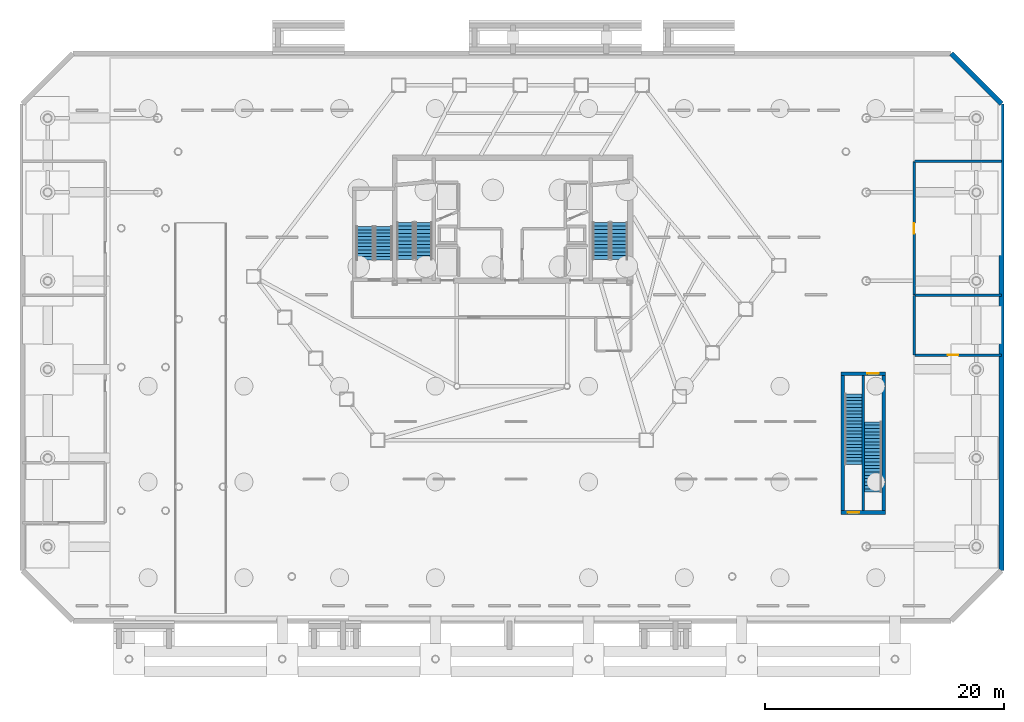
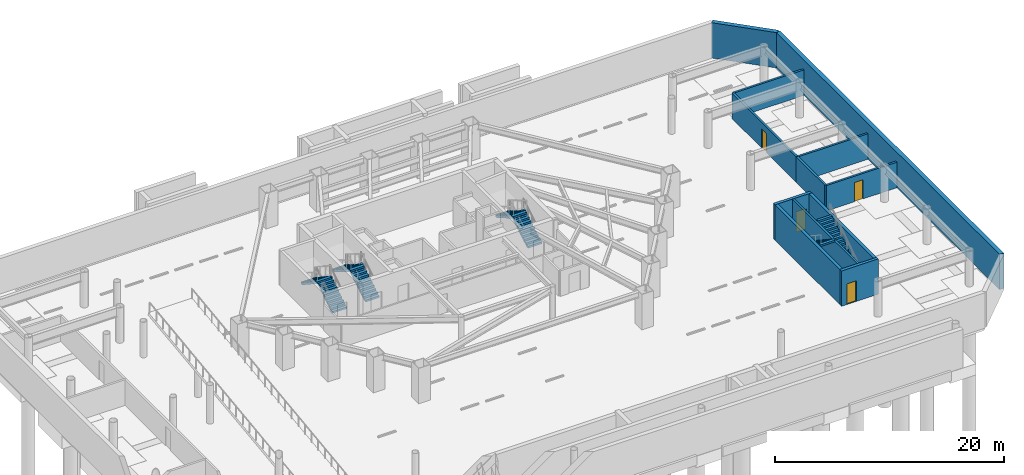
# One storey, part 14 of 19: 12 walls, 8 stair flights, 4 doors, 4 openings, 5 elements without a shape of their own.
"""IFC4 building model written with IfcOpenShell, lengths in metres."""

from ifc_helpers import new_model, si_unit, direction, frame, frame_2d, origin, place, context, subcontext, project, spatial, polyline, rectangle, outline, extrude, material, layer, layer_set, type_object, element, fill, aggregate, save


model = new_model("IFC4")

# Units and contexts
model_context = context("Model", 3, precision=1e-05, world=origin(), true_north=direction((0.0, 1.0)))
body_context = subcontext(model_context, "Body", "Model", "MODEL_VIEW")
ifc_project = project(units=[si_unit("LENGTHUNIT", "METRE"), si_unit("AREAUNIT", "SQUARE_METRE"), si_unit("VOLUMEUNIT", "CUBIC_METRE"), si_unit("PLANEANGLEUNIT", "RADIAN"), si_unit("MASSUNIT", "GRAM", prefix="KILO")], contexts=[model_context])

# Site, building, storey
site_placement = place(None, origin())
site = spatial("IfcSite", under=ifc_project, at=site_placement, CompositionType="ELEMENT")
building_placement = place(site_placement, origin())
building = spatial("IfcBuilding", under=site, at=building_placement, Name="Zarrinselat Tower", CompositionType="ELEMENT")
storey_placement = place(building_placement, frame((0.0, 0.0, -8.159912109375)))
storey = spatial("IfcBuildingStorey", under=building, at=storey_placement, Name="B02", CompositionType="ELEMENT", Elevation=-8.159912109375)

# Wall
ifc_material_1 = material(Name="Concrete C40/50", Category="concrete")
ifc_layer_1 = layer(ifc_material_1, 0.199951171875)
ifc_layer_set_1 = layer_set([ifc_layer_1], Name="Concrete C40/50")
wall_type_1 = type_object("IfcWallType", Name="WAL-PART-PLANT", PredefinedType="PARTITIONING", material=ifc_layer_set_1)
wall_1_placement = place(storey_placement, frame((72.0, 27.02001953125, 0.0), z_axis=(0.0, 0.0, 1.0), x_axis=(0.0, 1.0, 0.0)))
element("IfcWall", 1, at=wall_1_placement, inside=storey, type_object=wall_type_1, Name="B02 Partition Wall 14", PredefinedType="PARTITIONING", context=body_context, shape_type="SweptSolid", body=[
    extrude(rectangle(XDim=4.97509765625, YDim=0.199951171875, at=frame_2d((2.487548828125, 0.0))), origin(), (0.0, 0.0, 1.0), 2.716796875),
])

# Wall, opening, door
wall_2_placement = place(storey_placement, frame((72.02001953125, 27.0, 0.0), z_axis=(0.0, 0.0, 1.0), x_axis=(1.0, 0.0, 0.0)))
wall_2 = element("IfcWall", 2, at=wall_2_placement, inside=storey, type_object=wall_type_1, Name="B02 Partition Wall 15", PredefinedType="PARTITIONING", context=body_context, shape_type="SweptSolid", body=[
    extrude(rectangle(XDim=7.264892578125, YDim=0.199951171875, at=frame_2d((3.63232421875, 0.0))), origin(), (0.0, 0.0, 1.0), 2.716796875),
])
opening_1_placement = place(wall_2_placement, frame((2.79248046875, 0.0, 0.0)))
opening_1 = element("IfcOpeningElement", 3, at=opening_1_placement, cuts=wall_2, Name="Opening ID-03", PredefinedType="OPENING", context=body_context, shape_type="SweptSolid", body=[
    extrude(rectangle(XDim=0.8798828125, YDim=2.050048828125, at=frame_2d((0.43994140625, 1.02490234375))), frame((0.0, 0.10986328125, 0.0), z_axis=(0.0, -1.0, 0.0), x_axis=(1.0, 0.0, 0.0)), (0.0, 0.0, 1.0), 0.219970703125),
])
ifc_material_2 = material(Name="Steel S355J2", Category="steel")
door_type_1 = type_object("IfcDoorType", Name="DR-INT-FD60-S", OperationType="NOTDEFINED", PredefinedType="DOOR", material=ifc_material_2)
door_1_placement = place(opening_1_placement, origin())
door_1 = element("IfcDoor", 4, at=door_1_placement, inside=storey, type_object=door_type_1, Name="B02 Interior Door P15", OperationType="SINGLE_SWING_RIGHT", OverallHeight=2.050048828125, OverallWidth=0.8798828125, PredefinedType="DOOR", context=body_context, shape_type="SweptSolid", body=[
    extrude(rectangle(XDim=0.8798828125, YDim=2.050048828125, at=frame_2d((0.43994140625, 1.02490234375))), frame((0.0, 0.02490234375, 0.0), z_axis=(0.0, -1.0, 0.0), x_axis=(1.0, 0.0, 0.0)), (0.0, 0.0, 1.0), 0.050048828125),
])
fill(opening_1, door_1)

# Wall
wall_3_placement = place(storey_placement, frame((72.02001953125, 43.199951171875, 0.0), z_axis=(0.0, 0.0, 1.0), x_axis=(1.0, 0.0, 0.0)))
element("IfcWall", 5, at=wall_3_placement, inside=storey, type_object=wall_type_1, Name="B02 Partition Wall 16", PredefinedType="PARTITIONING", context=body_context, shape_type="SweptSolid", body=[
    extrude(rectangle(XDim=7.264892578125, YDim=0.199951171875, at=frame_2d((3.63232421875, 0.0))), origin(), (0.0, 0.0, 1.0), 2.716796875),
])

# Wall, opening, door
wall_4_placement = place(storey_placement, frame((72.0, 32.0048828125, 0.0), z_axis=(0.0, 0.0, 1.0), x_axis=(0.0, 1.0, 0.0)))
wall_4 = element("IfcWall", 6, at=wall_4_placement, inside=storey, type_object=wall_type_1, Name="B02 Partition Wall 17", PredefinedType="PARTITIONING", context=body_context, shape_type="SweptSolid", body=[
    extrude(rectangle(XDim=11.175048828125, YDim=0.199951171875, at=frame_2d((5.58740234375, 0.0))), origin(), (0.0, 0.0, 1.0), 2.716796875),
])
opening_2_placement = place(wall_4_placement, frame((5.1474609375, 0.0, 0.0)))
opening_2 = element("IfcOpeningElement", 7, at=opening_2_placement, cuts=wall_4, Name="Opening ID-03", PredefinedType="OPENING", context=body_context, shape_type="SweptSolid", body=[
    extrude(rectangle(XDim=0.8798828125, YDim=2.050048828125, at=frame_2d((0.43994140625, 1.02490234375))), frame((0.0, 0.10986328125, 0.0), z_axis=(0.0, -1.0, 0.0), x_axis=(1.0, 0.0, 0.0)), (0.0, 0.0, 1.0), 0.219970703125),
])
door_2_placement = place(opening_2_placement, origin())
door_2 = element("IfcDoor", 8, at=door_2_placement, inside=storey, type_object=door_type_1, Name="B02 Interior Door P17", OperationType="SINGLE_SWING_LEFT", OverallHeight=2.050048828125, OverallWidth=0.8798828125, PredefinedType="DOOR", context=body_context, shape_type="SweptSolid", body=[
    extrude(rectangle(XDim=0.8798828125, YDim=2.050048828125, at=frame_2d((0.43994140625, 1.02490234375))), frame((0.0, 0.02490234375, 0.0), z_axis=(0.0, -1.0, 0.0), x_axis=(1.0, 0.0, 0.0)), (0.0, 0.0, 1.0), 0.050048828125),
])
fill(opening_2, door_2)

# Walls
wall_5_placement = place(storey_placement, frame((72.02001953125, 32.0, 0.0), z_axis=(0.0, 0.0, 1.0), x_axis=(1.0, 0.0, 0.0)))
element("IfcWall", 9, at=wall_5_placement, inside=storey, type_object=wall_type_1, Name="B02 Partition Wall 23", PredefinedType="PARTITIONING", context=body_context, shape_type="SweptSolid", body=[
    extrude(rectangle(XDim=7.264892578125, YDim=0.199951171875, at=frame_2d((3.63232421875, 0.0))), origin(), (0.0, 0.0, 1.0), 2.716796875),
])
ifc_material_3 = material(Name="Concrete C50/60", Category="concrete")
ifc_layer_2 = layer(ifc_material_3, 0.419921875)
ifc_layer_set_2 = layer_set([ifc_layer_2], Name="Concrete C50/60")
wall_type_2 = type_object("IfcWallType", Name="WAL-RET-420", PredefinedType="SOLIDWALL", material=ifc_layer_set_2)
wall_6_placement = place(storey_placement, frame((79.300048828125, 9.0, 0.0), z_axis=(0.0, 0.0, 1.0), x_axis=(0.0, 1.0, 0.0)))
element("IfcWall", 10, at=wall_6_placement, inside=storey, type_object=wall_type_2, Name="B02 Basement Perimeter Retaining Wall 3", PredefinedType="SOLIDWALL", context=body_context, shape_type="SweptSolid", body=[
    extrude(rectangle(XDim=39.0, YDim=0.419921875, at=frame_2d((19.5, 0.0))), origin(), (0.0, 0.0, 1.0), 3.760009765625),
])
wall_7_placement = place(storey_placement, frame((75.10009765625, 52.199951171875, 0.0), z_axis=(0.0, 0.0, 1.0), x_axis=(0.707106781187, -0.707106781187, 0.0)))
element("IfcWall", 11, at=wall_7_placement, inside=storey, type_object=wall_type_2, Name="B02 Basement Perimeter Retaining Wall 4", PredefinedType="SOLIDWALL", context=body_context, shape_type="SweptSolid", body=[
    extrude(rectangle(XDim=5.939697265625, YDim=0.419921875, at=frame_2d((2.9697265625, 0.0))), origin(), (0.0, 0.0, 1.0), 3.760009765625),
])

# Wall, opening, door
ifc_material_4 = material(Name="Concrete C40/50", Category="concrete")
ifc_layer_3 = layer(ifc_material_4, 0.300048828125)
ifc_layer_set_3 = layer_set([ifc_layer_3], Name="Concrete C40/50")
wall_type_3 = type_object("IfcWallType", Name="WAL-SHEAR-300", PredefinedType="SHEAR", material=ifc_layer_set_3)
wall_8_placement = place(storey_placement, frame((65.89990234375, 25.449951171875, 0.0), z_axis=(0.0, 0.0, 1.0), x_axis=(1.0, 0.0, 0.0)))
wall_8 = element("IfcWall", 12, at=wall_8_placement, inside=storey, type_object=wall_type_3, Name="B02 Stair 4 North Shear Wall", PredefinedType="SHEAR", context=body_context, shape_type="SweptSolid", body=[
    extrude(rectangle(XDim=3.7001953125, YDim=0.300048828125, at=frame_2d((1.85009765625, 0.0))), origin(), (0.0, 0.0, 1.0), 3.760009765625),
])
opening_3_placement = place(wall_8_placement, frame((2.199951171875, 0.0, 0.0)))
opening_3 = element("IfcOpeningElement", 13, at=opening_3_placement, cuts=wall_8, Name="Opening SD-02", PredefinedType="OPENING", context=body_context, shape_type="SweptSolid", body=[
    extrude(rectangle(XDim=0.949951171875, YDim=2.199951171875, at=frame_2d((0.47509765625, 1.10009765625))), frame((0.0, 0.159912109375, 0.0), z_axis=(0.0, -1.0, 0.0), x_axis=(1.0, 0.0, 0.0)), (0.0, 0.0, 1.0), 0.320068359375),
])
ifc_material_5 = material(Name="Steel S355J2", Category="steel")
door_type_2 = type_object("IfcDoorType", Name="DR-STAIR-1050", OperationType="NOTDEFINED", PredefinedType="DOOR", material=ifc_material_5)
door_3_placement = place(opening_3_placement, origin())
door_3 = element("IfcDoor", 14, at=door_3_placement, inside=storey, type_object=door_type_2, Name="B02 Stair 4B Fire Door", OperationType="SINGLE_SWING_RIGHT", OverallHeight=2.199951171875, OverallWidth=0.949951171875, PredefinedType="DOOR", context=body_context, shape_type="SweptSolid", body=[
    extrude(rectangle(XDim=0.949951171875, YDim=2.199951171875, at=frame_2d((0.47509765625, 1.10009765625))), frame((0.0, 0.02490234375, 0.0), z_axis=(0.0, -1.0, 0.0), x_axis=(1.0, 0.0, 0.0)), (0.0, 0.0, 1.0), 0.050048828125),
])
fill(opening_3, door_3)

wall_9_placement = place(storey_placement, frame((65.89990234375, 13.85009765625, 0.0), z_axis=(0.0, 0.0, 1.0), x_axis=(1.0, 0.0, 0.0)))
wall_9 = element("IfcWall", 15, at=wall_9_placement, inside=storey, type_object=wall_type_3, Name="B02 Stair 4 South Shear Wall", PredefinedType="SHEAR", context=body_context, shape_type="SweptSolid", body=[
    extrude(rectangle(XDim=3.7001953125, YDim=0.300048828125, at=frame_2d((1.85009765625, 0.0))), origin(), (0.0, 0.0, 1.0), 3.760009765625),
])
opening_4_placement = place(wall_9_placement, frame((0.550048828125, 0.0, 0.0)))
opening_4 = element("IfcOpeningElement", 16, at=opening_4_placement, cuts=wall_9, Name="Opening SD-02", PredefinedType="OPENING", context=body_context, shape_type="SweptSolid", body=[
    extrude(rectangle(XDim=0.949951171875, YDim=2.199951171875, at=frame_2d((0.47509765625, 1.10009765625))), frame((0.0, 0.159912109375, 0.0), z_axis=(0.0, -1.0, 0.0), x_axis=(1.0, 0.0, 0.0)), (0.0, 0.0, 1.0), 0.320068359375),
])
door_4_placement = place(opening_4_placement, origin())
door_4 = element("IfcDoor", 17, at=door_4_placement, inside=storey, type_object=door_type_2, Name="B02 Stair 4A Fire Door", OperationType="SINGLE_SWING_LEFT", OverallHeight=2.199951171875, OverallWidth=0.949951171875, PredefinedType="DOOR", context=body_context, shape_type="SweptSolid", body=[
    extrude(rectangle(XDim=0.949951171875, YDim=2.199951171875, at=frame_2d((0.47509765625, 1.10009765625))), frame((0.0, 0.02490234375, 0.0), z_axis=(0.0, -1.0, 0.0), x_axis=(1.0, 0.0, 0.0)), (0.0, 0.0, 1.0), 0.050048828125),
])
fill(opening_4, door_4)

# Walls
for number, where, z_axis, x_axis, name in (
    (18, (66.050048828125, 13.85009765625, 0.0), (0.0, 0.0, 1.0), (0.0, 1.0, 0.0), "B02 Stair 4 West Shear Wall"),
    (19, (69.449951171875, 13.85009765625, 0.0), (0.0, 0.0, 1.0), (0.0, 1.0, 0.0), "B02 Stair 4 East Shear Wall"),
):
    element("IfcWall", number, at=place(storey_placement, frame(where, z_axis=z_axis, x_axis=x_axis)), inside=storey, type_object=wall_type_3, Name=name, PredefinedType="SHEAR", context=body_context, shape_type="SweptSolid", body=[
        extrude(rectangle(XDim=11.599853515625, YDim=0.300048828125, at=frame_2d((5.7998046875, 0.0))), origin(), (0.0, 0.0, 1.0), 3.760009765625),
    ])
wall_10_placement = place(storey_placement, frame((67.75, 14.0, 0.0), z_axis=(0.0, 0.0, 1.0), x_axis=(0.0, 1.0, 0.0)))
element("IfcWall", 20, at=wall_10_placement, inside=storey, type_object=wall_type_3, Name="B02 Stair 4 Scissor Dividing Wall", PredefinedType="SHEAR", context=body_context, shape_type="SweptSolid", body=[
    extrude(rectangle(XDim=11.300048828125, YDim=0.199951171875, at=frame_2d((5.64990234375, 0.0))), origin(), (0.0, 0.0, 1.0), 3.760009765625),
])

# Stair, stair flights
ifc_material_6 = material(Name="Concrete C40/50", Category="concrete")
stair_type_1 = type_object("IfcStairType", Name="STR-CORE-145", PredefinedType="HALF_TURN_STAIR", material=ifc_material_6)
stair_1_placement = place(storey_placement, origin())
stair_1 = element("IfcStair", 21, at=stair_1_placement, inside=storey, type_object=stair_type_1, Name="B02 Podium & Mid-Tower Exit Stair 3", PredefinedType="HALF_TURN_STAIR")
ifc_material_7 = material(Name="Concrete C40/50", Category="concrete")
stair_flight_type_1 = type_object("IfcStairFlightType", Name="STR-FLT-145", PredefinedType="STRAIGHT", material=ifc_material_7)
stair_flight_1_placement = place(storey_placement, frame((27.675048828125, 34.949951171875, 0.0), z_axis=(0.0, 0.0, 1.0), x_axis=(0.0, 1.0, 0.0)))
stair_flight_1 = element("IfcStairFlight", 22, at=stair_flight_1_placement, type_object=stair_flight_type_1, Name="ST-3 flight 1", NumberOfRisers=11, NumberOfTreads=10, PredefinedType="STRAIGHT", RiserHeight=0.185454545, TreadLength=0.28, context=body_context, shape_type="SweptSolid", body=[
    extrude(outline(polyline([(0.0, 0.0), (0.0, 0.185546875), (0.280029296875, 0.185546875), (0.280029296875, 0.370849609375), (0.56005859375, 0.370849609375), (0.56005859375, 0.556396484375), (0.840087890625, 0.556396484375), (0.840087890625, 0.74169921875), (1.1201171875, 0.74169921875), (1.1201171875, 0.92724609375), (1.39990234375, 0.92724609375), (1.39990234375, 1.11279296875), (1.679931640625, 1.11279296875), (1.679931640625, 1.298095703125), (1.9599609375, 1.298095703125), (1.9599609375, 1.483642578125), (2.239990234375, 1.483642578125), (2.239990234375, 1.669189453125), (2.52001953125, 1.669189453125), (2.52001953125, 1.8544921875), (2.800048828125, 1.8544921875), (2.800048828125, 2.0400390625), (2.800048828125, 1.6748046875), (0.271484375, 0.0), (0.0, 0.0)])), frame((0.0, 0.72509765625, 0.0), z_axis=(0.0, -1.0, 0.0), x_axis=(1.0, 0.0, 0.0)), (0.0, 0.0, 1.0), 1.449951171875),
])
stair_flight_2_placement = place(storey_placement, frame((26.10498046875, 37.75, 2.039794921875), z_axis=(0.0, 0.0, 1.0), x_axis=(0.0, -1.0, 0.0)))
stair_flight_2 = element("IfcStairFlight", 23, at=stair_flight_2_placement, type_object=stair_flight_type_1, Name="ST-3 flight 2", NumberOfRisers=11, NumberOfTreads=10, PredefinedType="STRAIGHT", RiserHeight=0.185454545, TreadLength=0.28, context=body_context, shape_type="SweptSolid", body=[
    extrude(outline(polyline([(0.0, 0.0), (0.0, 0.185546875), (0.280029296875, 0.185546875), (0.280029296875, 0.370849609375), (0.56005859375, 0.370849609375), (0.56005859375, 0.556396484375), (0.840087890625, 0.556396484375), (0.840087890625, 0.74169921875), (1.1201171875, 0.74169921875), (1.1201171875, 0.92724609375), (1.39990234375, 0.92724609375), (1.39990234375, 1.11279296875), (1.679931640625, 1.11279296875), (1.679931640625, 1.298095703125), (1.9599609375, 1.298095703125), (1.9599609375, 1.483642578125), (2.239990234375, 1.483642578125), (2.239990234375, 1.669189453125), (2.52001953125, 1.669189453125), (2.52001953125, 1.8544921875), (2.800048828125, 1.8544921875), (2.800048828125, 2.0400390625), (2.800048828125, 1.6748046875), (0.271484375, 0.0), (0.0, 0.0)])), frame((0.0, 0.72509765625, 0.0), z_axis=(0.0, -1.0, 0.0), x_axis=(1.0, 0.0, 0.0)), (0.0, 0.0, 1.0), 1.449951171875),
])
aggregate(stair_1, [stair_flight_1, stair_flight_2])

ifc_material_8 = material(Name="Concrete C40/50", Category="concrete")
stair_type_2 = type_object("IfcStairType", Name="STR-CORE-155", PredefinedType="HALF_TURN_STAIR", material=ifc_material_8)
stair_2_placement = place(storey_placement, origin())
stair_2 = element("IfcStair", 24, at=stair_2_placement, inside=storey, type_object=stair_type_2, Name="B02 Core Exit Stair 1", PredefinedType="HALF_TURN_STAIR")
ifc_material_9 = material(Name="Concrete C40/50", Category="concrete")
stair_flight_type_2 = type_object("IfcStairFlightType", Name="STR-FLT-155", PredefinedType="STRAIGHT", material=ifc_material_9)
stair_flight_3_placement = place(storey_placement, frame((31.02001953125, 35.0, 0.0), z_axis=(0.0, 0.0, 1.0), x_axis=(0.0, 1.0, 0.0)))
stair_flight_3 = element("IfcStairFlight", 25, at=stair_flight_3_placement, type_object=stair_flight_type_2, Name="ST-1 flight 1", NumberOfRisers=11, NumberOfTreads=10, PredefinedType="STRAIGHT", RiserHeight=0.185454545, TreadLength=0.31, context=body_context, shape_type="SweptSolid", body=[
    extrude(outline(polyline([(0.0, 0.0), (0.0, 0.185546875), (0.31005859375, 0.185546875), (0.31005859375, 0.370849609375), (0.6201171875, 0.370849609375), (0.6201171875, 0.556396484375), (0.929931640625, 0.556396484375), (0.929931640625, 0.74169921875), (1.239990234375, 0.74169921875), (1.239990234375, 0.92724609375), (1.550048828125, 0.92724609375), (1.550048828125, 1.11279296875), (1.860107421875, 1.11279296875), (1.860107421875, 1.298095703125), (2.169921875, 1.298095703125), (2.169921875, 1.483642578125), (2.47998046875, 1.483642578125), (2.47998046875, 1.669189453125), (2.7900390625, 1.669189453125), (2.7900390625, 1.8544921875), (3.10009765625, 1.8544921875), (3.10009765625, 2.0400390625), (3.10009765625, 1.679931640625), (0.2919921875, 0.0), (0.0, 0.0)])), frame((0.0, 0.699951171875, 0.0), z_axis=(0.0, -1.0, 0.0), x_axis=(1.0, 0.0, 0.0)), (0.0, 0.0, 1.0), 1.39990234375),
])
stair_flight_4_placement = place(storey_placement, frame((29.5, 38.10009765625, 2.039794921875), z_axis=(0.0, 0.0, 1.0), x_axis=(0.0, -1.0, 0.0)))
stair_flight_4 = element("IfcStairFlight", 26, at=stair_flight_4_placement, type_object=stair_flight_type_2, Name="ST-1 flight 2", NumberOfRisers=11, NumberOfTreads=10, PredefinedType="STRAIGHT", RiserHeight=0.185454545, TreadLength=0.31, context=body_context, shape_type="SweptSolid", body=[
    extrude(outline(polyline([(0.0, 0.0), (0.0, 0.185546875), (0.31005859375, 0.185546875), (0.31005859375, 0.370849609375), (0.6201171875, 0.370849609375), (0.6201171875, 0.556396484375), (0.929931640625, 0.556396484375), (0.929931640625, 0.74169921875), (1.239990234375, 0.74169921875), (1.239990234375, 0.92724609375), (1.550048828125, 0.92724609375), (1.550048828125, 1.11279296875), (1.860107421875, 1.11279296875), (1.860107421875, 1.298095703125), (2.169921875, 1.298095703125), (2.169921875, 1.483642578125), (2.47998046875, 1.483642578125), (2.47998046875, 1.669189453125), (2.7900390625, 1.669189453125), (2.7900390625, 1.8544921875), (3.10009765625, 1.8544921875), (3.10009765625, 2.0400390625), (3.10009765625, 1.679931640625), (0.2919921875, 0.0), (0.0, 0.0)])), frame((0.0, 0.699951171875, 0.0), z_axis=(0.0, -1.0, 0.0), x_axis=(1.0, 0.0, 0.0)), (0.0, 0.0, 1.0), 1.39990234375),
])
aggregate(stair_2, [stair_flight_3, stair_flight_4])

stair_3_placement = place(storey_placement, origin())
stair_3 = element("IfcStair", 27, at=stair_3_placement, inside=storey, type_object=stair_type_2, Name="B02 Core Exit Stair 2", PredefinedType="HALF_TURN_STAIR")
stair_flight_5_placement = place(storey_placement, frame((47.360107421875, 35.0, 0.0), z_axis=(0.0, 0.0, 1.0), x_axis=(0.0, 1.0, 0.0)))
stair_flight_5 = element("IfcStairFlight", 28, at=stair_flight_5_placement, type_object=stair_flight_type_2, Name="ST-2 flight 1", NumberOfRisers=11, NumberOfTreads=10, PredefinedType="STRAIGHT", RiserHeight=0.185454545, TreadLength=0.31, context=body_context, shape_type="SweptSolid", body=[
    extrude(outline(polyline([(0.0, 0.0), (0.0, 0.185546875), (0.31005859375, 0.185546875), (0.31005859375, 0.370849609375), (0.6201171875, 0.370849609375), (0.6201171875, 0.556396484375), (0.929931640625, 0.556396484375), (0.929931640625, 0.74169921875), (1.239990234375, 0.74169921875), (1.239990234375, 0.92724609375), (1.550048828125, 0.92724609375), (1.550048828125, 1.11279296875), (1.860107421875, 1.11279296875), (1.860107421875, 1.298095703125), (2.169921875, 1.298095703125), (2.169921875, 1.483642578125), (2.47998046875, 1.483642578125), (2.47998046875, 1.669189453125), (2.7900390625, 1.669189453125), (2.7900390625, 1.8544921875), (3.10009765625, 1.8544921875), (3.10009765625, 2.0400390625), (3.10009765625, 1.679931640625), (0.2919921875, 0.0), (0.0, 0.0)])), frame((0.0, 0.699951171875, 0.0), z_axis=(0.0, -1.0, 0.0), x_axis=(1.0, 0.0, 0.0)), (0.0, 0.0, 1.0), 1.39990234375),
])
stair_flight_6_placement = place(storey_placement, frame((45.840087890625, 38.10009765625, 2.039794921875), z_axis=(0.0, 0.0, 1.0), x_axis=(0.0, -1.0, 0.0)))
stair_flight_6 = element("IfcStairFlight", 29, at=stair_flight_6_placement, type_object=stair_flight_type_2, Name="ST-2 flight 2", NumberOfRisers=11, NumberOfTreads=10, PredefinedType="STRAIGHT", RiserHeight=0.185454545, TreadLength=0.31, context=body_context, shape_type="SweptSolid", body=[
    extrude(outline(polyline([(0.0, 0.0), (0.0, 0.185546875), (0.31005859375, 0.185546875), (0.31005859375, 0.370849609375), (0.6201171875, 0.370849609375), (0.6201171875, 0.556396484375), (0.929931640625, 0.556396484375), (0.929931640625, 0.74169921875), (1.239990234375, 0.74169921875), (1.239990234375, 0.92724609375), (1.550048828125, 0.92724609375), (1.550048828125, 1.11279296875), (1.860107421875, 1.11279296875), (1.860107421875, 1.298095703125), (2.169921875, 1.298095703125), (2.169921875, 1.483642578125), (2.47998046875, 1.483642578125), (2.47998046875, 1.669189453125), (2.7900390625, 1.669189453125), (2.7900390625, 1.8544921875), (3.10009765625, 1.8544921875), (3.10009765625, 2.0400390625), (3.10009765625, 1.679931640625), (0.2919921875, 0.0), (0.0, 0.0)])), frame((0.0, 0.699951171875, 0.0), z_axis=(0.0, -1.0, 0.0), x_axis=(1.0, 0.0, 0.0)), (0.0, 0.0, 1.0), 1.39990234375),
])
aggregate(stair_3, [stair_flight_5, stair_flight_6])

# Stair, stair flight
ifc_material_10 = material(Name="Precast concrete C40/50", Category="concrete")
stair_type_3 = type_object("IfcStairType", Name="STR-GDN-180", PredefinedType="STRAIGHT_RUN_STAIR", material=ifc_material_10)
stair_4_placement = place(storey_placement, origin())
stair_4 = element("IfcStair", 30, at=stair_4_placement, inside=storey, type_object=stair_type_3, Name="B02 East Podium Gallery Straight Stair 4 A", PredefinedType="STRAIGHT_RUN_STAIR")
ifc_material_11 = material(Name="Precast concrete C40/50", Category="concrete")
stair_flight_type_3 = type_object("IfcStairFlightType", Name="STR-FLT-180", PredefinedType="STRAIGHT", material=ifc_material_11)
stair_flight_7_placement = place(storey_placement, frame((68.574951171875, 15.550048828125, 0.0), z_axis=(0.0, 0.0, 1.0), x_axis=(0.0, 1.0, 0.0)))
stair_flight_7 = element("IfcStairFlight", 31, at=stair_flight_7_placement, type_object=stair_flight_type_3, Name="ST-4A flight 1", NumberOfRisers=22, NumberOfTreads=21, PredefinedType="STRAIGHT", RiserHeight=0.185454545, TreadLength=0.28, context=body_context, shape_type="SweptSolid", body=[
    extrude(outline(polyline([(0.0, 0.0), (0.0, 0.185546875), (0.280029296875, 0.185546875), (0.280029296875, 0.370849609375), (0.56005859375, 0.370849609375), (0.56005859375, 0.556396484375), (0.840087890625, 0.556396484375), (0.840087890625, 0.74169921875), (1.1201171875, 0.74169921875), (1.1201171875, 0.92724609375), (1.39990234375, 0.92724609375), (1.39990234375, 1.11279296875), (1.679931640625, 1.11279296875), (1.679931640625, 1.298095703125), (1.9599609375, 1.298095703125), (1.9599609375, 1.483642578125), (2.239990234375, 1.483642578125), (2.239990234375, 1.669189453125), (2.52001953125, 1.669189453125), (2.52001953125, 1.8544921875), (2.800048828125, 1.8544921875), (2.800048828125, 2.0400390625), (3.080078125, 2.0400390625), (3.080078125, 2.225341796875), (3.360107421875, 2.225341796875), (3.360107421875, 2.410888671875), (3.639892578125, 2.410888671875), (3.639892578125, 2.596435546875), (3.919921875, 2.596435546875), (3.919921875, 2.78173828125), (4.199951171875, 2.78173828125), (4.199951171875, 2.96728515625), (4.47998046875, 2.96728515625), (4.47998046875, 3.15283203125), (4.760009765625, 3.15283203125), (4.760009765625, 3.338134765625), (5.0400390625, 3.338134765625), (5.0400390625, 3.523681640625), (5.320068359375, 3.523681640625), (5.320068359375, 3.708984375), (5.60009765625, 3.708984375), (5.60009765625, 3.89453125), (5.8798828125, 3.89453125), (5.8798828125, 4.080078125), (5.8798828125, 3.71484375), (0.271484375, 0.0), (0.0, 0.0)])), frame((0.0, 0.72509765625, 0.0), z_axis=(0.0, -1.0, 0.0), x_axis=(1.0, 0.0, 0.0)), (0.0, 0.0, 1.0), 1.449951171875),
])
aggregate(stair_4, [stair_flight_7])

stair_5_placement = place(storey_placement, origin())
stair_5 = element("IfcStair", 32, at=stair_5_placement, inside=storey, type_object=stair_type_3, Name="B02 East Podium Gallery Straight Stair 4 B", PredefinedType="STRAIGHT_RUN_STAIR")
stair_flight_8_placement = place(storey_placement, frame((66.925048828125, 23.75, 0.0), z_axis=(0.0, 0.0, 1.0), x_axis=(0.0, -1.0, 0.0)))
stair_flight_8 = element("IfcStairFlight", 33, at=stair_flight_8_placement, type_object=stair_flight_type_3, Name="ST-4B flight 1", NumberOfRisers=22, NumberOfTreads=21, PredefinedType="STRAIGHT", RiserHeight=0.185454545, TreadLength=0.28, context=body_context, shape_type="SweptSolid", body=[
    extrude(outline(polyline([(0.0, 0.0), (0.0, 0.185546875), (0.280029296875, 0.185546875), (0.280029296875, 0.370849609375), (0.56005859375, 0.370849609375), (0.56005859375, 0.556396484375), (0.840087890625, 0.556396484375), (0.840087890625, 0.74169921875), (1.1201171875, 0.74169921875), (1.1201171875, 0.92724609375), (1.39990234375, 0.92724609375), (1.39990234375, 1.11279296875), (1.679931640625, 1.11279296875), (1.679931640625, 1.298095703125), (1.9599609375, 1.298095703125), (1.9599609375, 1.483642578125), (2.239990234375, 1.483642578125), (2.239990234375, 1.669189453125), (2.52001953125, 1.669189453125), (2.52001953125, 1.8544921875), (2.800048828125, 1.8544921875), (2.800048828125, 2.0400390625), (3.080078125, 2.0400390625), (3.080078125, 2.225341796875), (3.360107421875, 2.225341796875), (3.360107421875, 2.410888671875), (3.639892578125, 2.410888671875), (3.639892578125, 2.596435546875), (3.919921875, 2.596435546875), (3.919921875, 2.78173828125), (4.199951171875, 2.78173828125), (4.199951171875, 2.96728515625), (4.47998046875, 2.96728515625), (4.47998046875, 3.15283203125), (4.760009765625, 3.15283203125), (4.760009765625, 3.338134765625), (5.0400390625, 3.338134765625), (5.0400390625, 3.523681640625), (5.320068359375, 3.523681640625), (5.320068359375, 3.708984375), (5.60009765625, 3.708984375), (5.60009765625, 3.89453125), (5.8798828125, 3.89453125), (5.8798828125, 4.080078125), (5.8798828125, 3.71484375), (0.271484375, 0.0), (0.0, 0.0)])), frame((0.0, 0.72509765625, 0.0), z_axis=(0.0, -1.0, 0.0), x_axis=(1.0, 0.0, 0.0)), (0.0, 0.0, 1.0), 1.449951171875),
])
aggregate(stair_5, [stair_flight_8])

save(model, "model.ifc")
